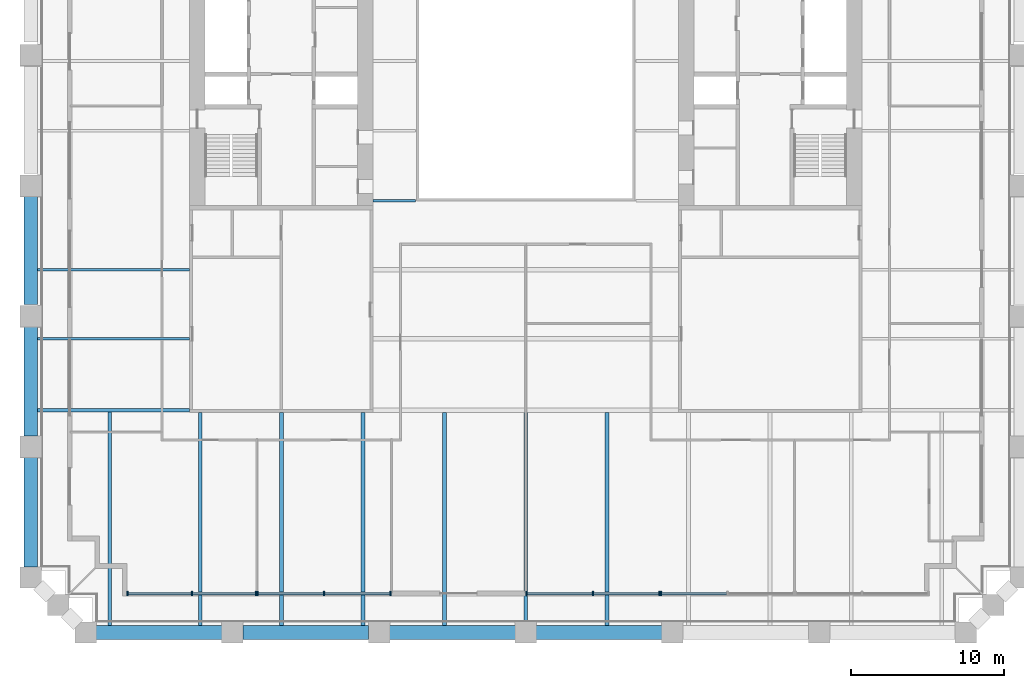
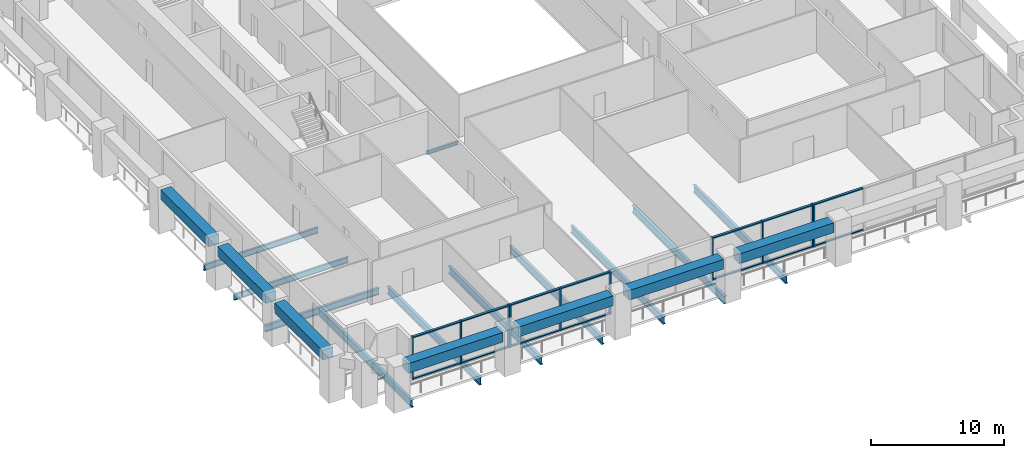
# One storey, part 2 of 11: 24 members, 18 beams, 4 elements without a shape of their own.
"""IFC4 building model written with IfcOpenShell, lengths in metres."""

from ifc_helpers import new_model, si_unit, direction, frame, origin, origin_2d, place, context, subcontext, project, spatial, rectangle, i_section, extrude, material, material_profile, profile_set, type_object, element, aggregate, save


model = new_model("IFC4")

# Units and contexts
model_context = context("Model", 3, precision=1e-05, world=origin(), true_north=direction((0.0, 1.0)))
body_context = subcontext(model_context, "Body", "Model", "MODEL_VIEW")
ifc_project = project(units=[si_unit("LENGTHUNIT", "METRE"), si_unit("AREAUNIT", "SQUARE_METRE"), si_unit("VOLUMEUNIT", "CUBIC_METRE"), si_unit("PLANEANGLEUNIT", "RADIAN"), si_unit("MASSUNIT", "GRAM", prefix="KILO")], contexts=[model_context])

# Site, building, storey
site_placement = place(None, origin())
site = spatial("IfcSite", under=ifc_project, at=site_placement, CompositionType="ELEMENT")
building_placement = place(site_placement, origin())
building = spatial("IfcBuilding", under=site, at=building_placement, Name="Ogive Exchange Tower", CompositionType="ELEMENT")
storey_placement = place(building_placement, frame((0.0, 0.0, 90.0)))
storey = spatial("IfcBuildingStorey", under=building, at=storey_placement, Name="L19", CompositionType="ELEMENT", Elevation=90.0)

# Curtain wall, members
ifc_material_1 = material(Name="Anodised aluminium and clear glass", Category="aluminium")
curtain_wall_type = type_object("IfcCurtainWallType", Name="Executive floor glazing", PredefinedType="NOTDEFINED", material=ifc_material_1)
curtain_wall_1_placement = place(storey_placement, origin())
curtain_wall_1 = element("IfcCurtainWall", 1, at=curtain_wall_1_placement, inside=storey, type_object=curtain_wall_type, Name="Executive floor glazing run G1", PredefinedType="NOTDEFINED")
ifc_material_2 = material(Name="Anodised aluminium", Category="aluminium")
ifc_material_profile_1 = material_profile(ifc_material_2, rectangle(XDim=0.280029296875, YDim=0.10009765625, at=origin_2d()), Name="AL 100x280")
ifc_profile_set_1 = profile_set([ifc_material_profile_1], Name="Anodised aluminium")
member_type_1 = type_object("IfcMemberType", Name="Executive floor glazing mullion 100 x 280", PredefinedType="MULLION", material=ifc_profile_set_1)
member_1_placement = place(storey_placement, frame((-26.050048828125, -27.85009765625, 0.0), z_axis=(0.0, 0.0, 1.0), x_axis=(0.0, 1.0, 0.0)))
member_1 = element("IfcMember", 2, at=member_1_placement, type_object=member_type_1, Name="G1 mullion 1", PredefinedType="MULLION", context=body_context, shape_type="SweptSolid", body=[
    extrude(rectangle(XDim=0.280029296875, YDim=0.10009765625, at=origin_2d()), origin(), (0.0, 0.0, 1.0), 3.89990234375),
])
member_2_placement = place(storey_placement, frame((-21.85009765625, -27.85009765625, 0.0), z_axis=(0.0, 0.0, 1.0), x_axis=(0.0, 1.0, 0.0)))
member_2 = element("IfcMember", 3, at=member_2_placement, type_object=member_type_1, Name="G1 mullion 2", PredefinedType="MULLION", context=body_context, shape_type="SweptSolid", body=[
    extrude(rectangle(XDim=0.280029296875, YDim=0.10009765625, at=origin_2d()), origin(), (0.0, 0.0, 1.0), 3.89990234375),
])
member_3_placement = place(storey_placement, frame((-17.64990234375, -27.85009765625, 0.0), z_axis=(0.0, 0.0, 1.0), x_axis=(0.0, 1.0, 0.0)))
member_3 = element("IfcMember", 4, at=member_3_placement, type_object=member_type_1, Name="G1 mullion 3", PredefinedType="MULLION", context=body_context, shape_type="SweptSolid", body=[
    extrude(rectangle(XDim=0.280029296875, YDim=0.10009765625, at=origin_2d()), origin(), (0.0, 0.0, 1.0), 3.89990234375),
])

curtain_wall_2_placement = place(storey_placement, origin())
curtain_wall_2 = element("IfcCurtainWall", 5, at=curtain_wall_2_placement, inside=storey, type_object=curtain_wall_type, Name="Executive floor glazing run G2", PredefinedType="NOTDEFINED")
member_4_placement = place(storey_placement, frame((-17.550048828125, -27.85009765625, 0.0), z_axis=(0.0, 0.0, 1.0), x_axis=(0.0, 1.0, 0.0)))
member_4 = element("IfcMember", 6, at=member_4_placement, type_object=member_type_1, Name="G2 mullion 1", PredefinedType="MULLION", context=body_context, shape_type="SweptSolid", body=[
    extrude(rectangle(XDim=0.280029296875, YDim=0.10009765625, at=origin_2d()), origin(), (0.0, 0.0, 1.0), 3.89990234375),
])
member_5_placement = place(storey_placement, frame((-13.199951171875, -27.85009765625, 0.0), z_axis=(0.0, 0.0, 1.0), x_axis=(0.0, 1.0, 0.0)))
member_5 = element("IfcMember", 7, at=member_5_placement, type_object=member_type_1, Name="G2 mullion 2", PredefinedType="MULLION", context=body_context, shape_type="SweptSolid", body=[
    extrude(rectangle(XDim=0.280029296875, YDim=0.10009765625, at=origin_2d()), origin(), (0.0, 0.0, 1.0), 3.89990234375),
])
member_6_placement = place(storey_placement, frame((-8.85009765625, -27.85009765625, 0.0), z_axis=(0.0, 0.0, 1.0), x_axis=(0.0, 1.0, 0.0)))
member_6 = element("IfcMember", 8, at=member_6_placement, type_object=member_type_1, Name="G2 mullion 3", PredefinedType="MULLION", context=body_context, shape_type="SweptSolid", body=[
    extrude(rectangle(XDim=0.280029296875, YDim=0.10009765625, at=origin_2d()), origin(), (0.0, 0.0, 1.0), 3.89990234375),
])

curtain_wall_3_placement = place(storey_placement, origin())
curtain_wall_3 = element("IfcCurtainWall", 9, at=curtain_wall_3_placement, inside=storey, type_object=curtain_wall_type, Name="Executive floor glazing run G4", PredefinedType="NOTDEFINED")
member_7_placement = place(storey_placement, frame((0.050048828125, -27.85009765625, 0.0), z_axis=(0.0, 0.0, 1.0), x_axis=(0.0, 1.0, 0.0)))
member_7 = element("IfcMember", 10, at=member_7_placement, type_object=member_type_1, Name="G4 mullion 1", PredefinedType="MULLION", context=body_context, shape_type="SweptSolid", body=[
    extrude(rectangle(XDim=0.280029296875, YDim=0.10009765625, at=origin_2d()), origin(), (0.0, 0.0, 1.0), 3.89990234375),
])
member_8_placement = place(storey_placement, frame((4.39990234375, -27.85009765625, 0.0), z_axis=(0.0, 0.0, 1.0), x_axis=(0.0, 1.0, 0.0)))
member_8 = element("IfcMember", 11, at=member_8_placement, type_object=member_type_1, Name="G4 mullion 2", PredefinedType="MULLION", context=body_context, shape_type="SweptSolid", body=[
    extrude(rectangle(XDim=0.280029296875, YDim=0.10009765625, at=origin_2d()), origin(), (0.0, 0.0, 1.0), 3.89990234375),
])
member_9_placement = place(storey_placement, frame((8.75, -27.85009765625, 0.0), z_axis=(0.0, 0.0, 1.0), x_axis=(0.0, 1.0, 0.0)))
member_9 = element("IfcMember", 12, at=member_9_placement, type_object=member_type_1, Name="G4 mullion 3", PredefinedType="MULLION", context=body_context, shape_type="SweptSolid", body=[
    extrude(rectangle(XDim=0.280029296875, YDim=0.10009765625, at=origin_2d()), origin(), (0.0, 0.0, 1.0), 3.89990234375),
])

# Curtain wall, member
curtain_wall_4_placement = place(storey_placement, origin())
curtain_wall_4 = element("IfcCurtainWall", 13, at=curtain_wall_4_placement, inside=storey, type_object=curtain_wall_type, Name="Executive floor glazing run G5", PredefinedType="NOTDEFINED")
member_10_placement = place(storey_placement, frame((8.85009765625, -27.85009765625, 0.0), z_axis=(0.0, 0.0, 1.0), x_axis=(0.0, 1.0, 0.0)))
member_10 = element("IfcMember", 14, at=member_10_placement, type_object=member_type_1, Name="G5 mullion 1", PredefinedType="MULLION", context=body_context, shape_type="SweptSolid", body=[
    extrude(rectangle(XDim=0.280029296875, YDim=0.10009765625, at=origin_2d()), origin(), (0.0, 0.0, 1.0), 3.89990234375),
])

# Member
ifc_material_profile_2 = material_profile(ifc_material_2, rectangle(XDim=0.199951171875, YDim=0.10009765625, at=origin_2d()), Name="AL 100x200")
ifc_profile_set_2 = profile_set([ifc_material_profile_2], Name="Anodised aluminium")
member_type_2 = type_object("IfcMemberType", Name="Executive floor glazing transom 100 x 200", PredefinedType="USERDEFINED", material=ifc_profile_set_2)
member_11_placement = place(storey_placement, frame((-26.0, -27.85009765625, 0.050048828125), z_axis=(1.0, 0.0, 0.0), x_axis=(0.0, 1.0, 0.0)))
member_11 = element("IfcMember", 15, at=member_11_placement, type_object=member_type_2, Name="G1 transom 1.1", ObjectType="TRANSOM", PredefinedType="USERDEFINED", context=body_context, shape_type="SweptSolid", body=[
    extrude(rectangle(XDim=0.199951171875, YDim=0.10009765625, at=origin_2d()), origin(), (0.0, 0.0, 1.0), 4.10009765625),
])

member_12_placement = place(storey_placement, frame((-26.0, -27.85009765625, 3.85009765625), z_axis=(1.0, 0.0, 0.0), x_axis=(0.0, 1.0, 0.0)))
member_12 = element("IfcMember", 16, at=member_12_placement, type_object=member_type_2, Name="G1 transom 1.2", ObjectType="TRANSOM", PredefinedType="USERDEFINED", context=body_context, shape_type="SweptSolid", body=[
    extrude(rectangle(XDim=0.199951171875, YDim=0.10009765625, at=origin_2d()), origin(), (0.0, 0.0, 1.0), 4.10009765625),
])

member_13_placement = place(storey_placement, frame((-21.800048828125, -27.85009765625, 0.050048828125), z_axis=(1.0, 0.0, 0.0), x_axis=(0.0, 1.0, 0.0)))
member_13 = element("IfcMember", 17, at=member_13_placement, type_object=member_type_2, Name="G1 transom 2.1", ObjectType="TRANSOM", PredefinedType="USERDEFINED", context=body_context, shape_type="SweptSolid", body=[
    extrude(rectangle(XDim=0.199951171875, YDim=0.10009765625, at=origin_2d()), origin(), (0.0, 0.0, 1.0), 4.10009765625),
])

member_14_placement = place(storey_placement, frame((-21.800048828125, -27.85009765625, 3.85009765625), z_axis=(1.0, 0.0, 0.0), x_axis=(0.0, 1.0, 0.0)))
member_14 = element("IfcMember", 18, at=member_14_placement, type_object=member_type_2, Name="G1 transom 2.2", ObjectType="TRANSOM", PredefinedType="USERDEFINED", context=body_context, shape_type="SweptSolid", body=[
    extrude(rectangle(XDim=0.199951171875, YDim=0.10009765625, at=origin_2d()), origin(), (0.0, 0.0, 1.0), 4.10009765625),
])

aggregate(curtain_wall_1, [member_1, member_2, member_3, member_11, member_12, member_13, member_14])

member_15_placement = place(storey_placement, frame((-17.5, -27.85009765625, 0.050048828125), z_axis=(1.0, 0.0, 0.0), x_axis=(0.0, 1.0, 0.0)))
member_15 = element("IfcMember", 19, at=member_15_placement, type_object=member_type_2, Name="G2 transom 1.1", ObjectType="TRANSOM", PredefinedType="USERDEFINED", context=body_context, shape_type="SweptSolid", body=[
    extrude(rectangle(XDim=0.199951171875, YDim=0.10009765625, at=origin_2d()), origin(), (0.0, 0.0, 1.0), 4.25),
])

member_16_placement = place(storey_placement, frame((-17.5, -27.85009765625, 3.85009765625), z_axis=(1.0, 0.0, 0.0), x_axis=(0.0, 1.0, 0.0)))
member_16 = element("IfcMember", 20, at=member_16_placement, type_object=member_type_2, Name="G2 transom 1.2", ObjectType="TRANSOM", PredefinedType="USERDEFINED", context=body_context, shape_type="SweptSolid", body=[
    extrude(rectangle(XDim=0.199951171875, YDim=0.10009765625, at=origin_2d()), origin(), (0.0, 0.0, 1.0), 4.25),
])

member_17_placement = place(storey_placement, frame((-13.14990234375, -27.85009765625, 0.050048828125), z_axis=(1.0, 0.0, 0.0), x_axis=(0.0, 1.0, 0.0)))
member_17 = element("IfcMember", 21, at=member_17_placement, type_object=member_type_2, Name="G2 transom 2.1", ObjectType="TRANSOM", PredefinedType="USERDEFINED", context=body_context, shape_type="SweptSolid", body=[
    extrude(rectangle(XDim=0.199951171875, YDim=0.10009765625, at=origin_2d()), origin(), (0.0, 0.0, 1.0), 4.25),
])

member_18_placement = place(storey_placement, frame((-13.14990234375, -27.85009765625, 3.85009765625), z_axis=(1.0, 0.0, 0.0), x_axis=(0.0, 1.0, 0.0)))
member_18 = element("IfcMember", 22, at=member_18_placement, type_object=member_type_2, Name="G2 transom 2.2", ObjectType="TRANSOM", PredefinedType="USERDEFINED", context=body_context, shape_type="SweptSolid", body=[
    extrude(rectangle(XDim=0.199951171875, YDim=0.10009765625, at=origin_2d()), origin(), (0.0, 0.0, 1.0), 4.25),
])

aggregate(curtain_wall_2, [member_4, member_5, member_6, member_15, member_16, member_17, member_18])

member_19_placement = place(storey_placement, frame((0.10009765625, -27.85009765625, 0.050048828125), z_axis=(1.0, 0.0, 0.0), x_axis=(0.0, 1.0, 0.0)))
member_19 = element("IfcMember", 23, at=member_19_placement, type_object=member_type_2, Name="G4 transom 1.1", ObjectType="TRANSOM", PredefinedType="USERDEFINED", context=body_context, shape_type="SweptSolid", body=[
    extrude(rectangle(XDim=0.199951171875, YDim=0.10009765625, at=origin_2d()), origin(), (0.0, 0.0, 1.0), 4.25),
])

member_20_placement = place(storey_placement, frame((0.10009765625, -27.85009765625, 3.85009765625), z_axis=(1.0, 0.0, 0.0), x_axis=(0.0, 1.0, 0.0)))
member_20 = element("IfcMember", 24, at=member_20_placement, type_object=member_type_2, Name="G4 transom 1.2", ObjectType="TRANSOM", PredefinedType="USERDEFINED", context=body_context, shape_type="SweptSolid", body=[
    extrude(rectangle(XDim=0.199951171875, YDim=0.10009765625, at=origin_2d()), origin(), (0.0, 0.0, 1.0), 4.25),
])

member_21_placement = place(storey_placement, frame((4.449951171875, -27.85009765625, 0.050048828125), z_axis=(1.0, 0.0, 0.0), x_axis=(0.0, 1.0, 0.0)))
member_21 = element("IfcMember", 25, at=member_21_placement, type_object=member_type_2, Name="G4 transom 2.1", ObjectType="TRANSOM", PredefinedType="USERDEFINED", context=body_context, shape_type="SweptSolid", body=[
    extrude(rectangle(XDim=0.199951171875, YDim=0.10009765625, at=origin_2d()), origin(), (0.0, 0.0, 1.0), 4.25),
])

member_22_placement = place(storey_placement, frame((4.449951171875, -27.85009765625, 3.85009765625), z_axis=(1.0, 0.0, 0.0), x_axis=(0.0, 1.0, 0.0)))
member_22 = element("IfcMember", 26, at=member_22_placement, type_object=member_type_2, Name="G4 transom 2.2", ObjectType="TRANSOM", PredefinedType="USERDEFINED", context=body_context, shape_type="SweptSolid", body=[
    extrude(rectangle(XDim=0.199951171875, YDim=0.10009765625, at=origin_2d()), origin(), (0.0, 0.0, 1.0), 4.25),
])

aggregate(curtain_wall_3, [member_7, member_8, member_9, member_19, member_20, member_21, member_22])

member_23_placement = place(storey_placement, frame((8.89990234375, -27.85009765625, 0.050048828125), z_axis=(1.0, 0.0, 0.0), x_axis=(0.0, 1.0, 0.0)))
member_23 = element("IfcMember", 27, at=member_23_placement, type_object=member_type_2, Name="G5 transom 1.1", ObjectType="TRANSOM", PredefinedType="USERDEFINED", context=body_context, shape_type="SweptSolid", body=[
    extrude(rectangle(XDim=0.199951171875, YDim=0.10009765625, at=origin_2d()), origin(), (0.0, 0.0, 1.0), 4.25),
])

member_24_placement = place(storey_placement, frame((8.89990234375, -27.85009765625, 3.85009765625), z_axis=(1.0, 0.0, 0.0), x_axis=(0.0, 1.0, 0.0)))
member_24 = element("IfcMember", 28, at=member_24_placement, type_object=member_type_2, Name="G5 transom 1.2", ObjectType="TRANSOM", PredefinedType="USERDEFINED", context=body_context, shape_type="SweptSolid", body=[
    extrude(rectangle(XDim=0.199951171875, YDim=0.10009765625, at=origin_2d()), origin(), (0.0, 0.0, 1.0), 4.25),
])

aggregate(curtain_wall_4, [member_10, member_23, member_24])

# Beams
ifc_material_3 = material(Name="Steel ASTM A992 Gr50", Category="steel")
ifc_material_profile_3 = material_profile(ifc_material_3, i_section(OverallWidth=0.1669921875, OverallDepth=0.535888671875, WebThickness=0.01025390625, FlangeThickness=0.0166015625, at=origin_2d()), Name="W530x85")
ifc_profile_set_3 = profile_set([ifc_material_profile_3], Name="Steel ASTM A992 Gr50")
beam_type_1 = type_object("IfcBeamType", Name="Floor beam W530x85", PredefinedType="JOIST", material=ifc_profile_set_3)
for number, where, z_axis, x_axis, name in (
    (29, (-31.949951171875, -11.17822265625, -0.51806640625), (1.0, 0.0, 0.0), (0.0, 1.0, 0.0), "Floor beam"),
    (30, (-31.949951171875, -6.666748046875, -0.51806640625), (1.0, 0.0, 0.0), (0.0, 1.0, 0.0), "Floor beam"),
):
    element("IfcBeam", number, at=place(storey_placement, frame(where, z_axis=z_axis, x_axis=x_axis)), inside=storey, type_object=beam_type_1, Name=name, PredefinedType="JOIST", context=body_context, shape_type="SweptSolid", body=[
        extrude(i_section(OverallWidth=0.1669921875, OverallDepth=0.535888671875, WebThickness=0.01025390625, FlangeThickness=0.0166015625, at=origin_2d()), origin(), (0.0, 0.0, 1.0), 9.949951171875),
    ])
ifc_material_profile_4 = material_profile(ifc_material_3, i_section(OverallWidth=0.25390625, OverallDepth=0.677978515625, WebThickness=0.01171875, FlangeThickness=0.016357421875, at=origin_2d()), Name="W690x125")
ifc_profile_set_4 = profile_set([ifc_material_profile_4], Name="Steel ASTM A992 Gr50")
beam_type_2 = type_object("IfcBeamType", Name="Floor beam W690x125", PredefinedType="JOIST", material=ifc_profile_set_4)
beam_1_placement = place(storey_placement, frame((-27.22509765625, -29.949951171875, -0.589111328125), z_axis=(0.0, 1.0, 0.0), x_axis=(-1.0, 0.0, 0.0)))
element("IfcBeam", 31, at=beam_1_placement, inside=storey, type_object=beam_type_2, Name="Floor beam", PredefinedType="JOIST", context=body_context, shape_type="SweptSolid", body=[
    extrude(i_section(OverallWidth=0.25390625, OverallDepth=0.677978515625, WebThickness=0.01171875, FlangeThickness=0.016357421875, at=origin_2d()), origin(), (0.0, 0.0, 1.0), 13.990966796875),
])
for number, where, z_axis, x_axis, name in (
    (32, (-21.300048828125, -29.949951171875, -0.589111328125), (0.0, 1.0, 0.0), (-1.0, 0.0, 0.0), "Floor beam"),
    (33, (-15.97509765625, -29.949951171875, -0.589111328125), (0.0, 1.0, 0.0), (-1.0, 0.0, 0.0), "Floor beam"),
    (34, (-10.64990234375, -29.949951171875, -0.589111328125), (0.0, 1.0, 0.0), (-1.0, 0.0, 0.0), "Floor beam"),
):
    element("IfcBeam", number, at=place(storey_placement, frame(where, z_axis=z_axis, x_axis=x_axis)), inside=storey, type_object=beam_type_2, Name=name, PredefinedType="JOIST", context=body_context, shape_type="SweptSolid", body=[
        extrude(i_section(OverallWidth=0.25390625, OverallDepth=0.677978515625, WebThickness=0.01171875, FlangeThickness=0.016357421875, at=origin_2d()), origin(), (0.0, 0.0, 1.0), 13.949951171875),
    ])
for number, where, z_axis, x_axis, name in (
    (35, (-5.324951171875, -29.949951171875, -0.589111328125), (0.0, 1.0, 0.0), (-1.0, 0.0, 0.0), "Floor beam"),
    (36, (0.0, -29.949951171875, -0.589111328125), (0.0, 1.0, 0.0), (-1.0, 0.0, 0.0), "Floor beam"),
    (37, (5.324951171875, -29.949951171875, -0.589111328125), (0.0, 1.0, 0.0), (-1.0, 0.0, 0.0), "Floor beam"),
):
    element("IfcBeam", number, at=place(storey_placement, frame(where, z_axis=z_axis, x_axis=x_axis)), inside=storey, type_object=beam_type_2, Name=name, PredefinedType="JOIST", context=body_context, shape_type="SweptSolid", body=[
        extrude(i_section(OverallWidth=0.25390625, OverallDepth=0.677978515625, WebThickness=0.01171875, FlangeThickness=0.016357421875, at=origin_2d()), origin(), (0.0, 0.0, 1.0), 13.954833984375),
    ])
ifc_material_profile_5 = material_profile(ifc_material_3, i_section(OverallWidth=0.1650390625, OverallDepth=0.31005859375, WebThickness=0.005859375, FlangeThickness=0.009765625, at=origin_2d()), Name="W310x38.7")
ifc_profile_set_5 = profile_set([ifc_material_profile_5], Name="Steel ASTM A992 Gr50")
beam_type_3 = type_object("IfcBeamType", Name="Girder W310x38.7", PredefinedType="BEAM", material=ifc_profile_set_5)
beam_2_placement = place(storey_placement, frame((-10.0, -2.155029296875, -0.405029296875), z_axis=(1.0, 0.0, 0.0), x_axis=(0.0, 1.0, 0.0)))
element("IfcBeam", 38, at=beam_2_placement, inside=storey, type_object=beam_type_3, Name="Trimmer girder", PredefinedType="BEAM", context=body_context, shape_type="SweptSolid", body=[
    extrude(i_section(OverallWidth=0.1650390625, OverallDepth=0.31005859375, WebThickness=0.005859375, FlangeThickness=0.009765625, at=origin_2d()), origin(), (0.0, 0.0, 1.0), 2.780029296875),
])
ifc_material_profile_6 = material_profile(ifc_material_3, i_section(OverallWidth=0.22802734375, OverallDepth=0.60205078125, WebThickness=0.010498046875, FlangeThickness=0.014892578125, at=origin_2d()), Name="W610x101")
ifc_profile_set_6 = profile_set([ifc_material_profile_6], Name="Steel ASTM A992 Gr50")
beam_type_4 = type_object("IfcBeamType", Name="Girder W610x101", PredefinedType="BEAM", material=ifc_profile_set_6)
beam_3_placement = place(storey_placement, frame((-31.949951171875, -15.844970703125, -0.551025390625), z_axis=(1.0, 0.0, 0.0), x_axis=(0.0, 1.0, 0.0)))
element("IfcBeam", 39, at=beam_3_placement, inside=storey, type_object=beam_type_4, Name="Header girder", PredefinedType="BEAM", context=body_context, shape_type="SweptSolid", body=[
    extrude(i_section(OverallWidth=0.22802734375, OverallDepth=0.60205078125, WebThickness=0.010498046875, FlangeThickness=0.014892578125, at=origin_2d()), origin(), (0.0, 0.0, 1.0), 9.949951171875),
])
ifc_material_4 = material(Name="Precast concrete C70/85 (limestone faced)", Category="masonry")
ifc_material_profile_7 = material_profile(ifc_material_4, rectangle(XDim=0.89990234375, YDim=0.89990234375, at=origin_2d()), Name="900 x 900")
ifc_profile_set_7 = profile_set([ifc_material_profile_7], Name="Precast concrete C70/85 (limestone faced)")
beam_type_5 = type_object("IfcBeamType", Name="Precast spandrel 900 x 900 C70/85", PredefinedType="SPANDREL", material=ifc_profile_set_7)
beam_4_placement = place(storey_placement, frame((-28.1201171875, -30.39990234375, 3.5), z_axis=(1.0, 0.0, 0.0), x_axis=(0.0, 1.0, 0.0)))
element("IfcBeam", 40, at=beam_4_placement, inside=storey, type_object=beam_type_5, Name="Spandrel 1", PredefinedType="SPANDREL", context=body_context, shape_type="SweptSolid", body=[
    extrude(rectangle(XDim=0.89990234375, YDim=0.89990234375, at=origin_2d()), origin(), (0.0, 0.0, 1.0), 8.240234375),
])
for number, where, z_axis, x_axis, name in (
    (41, (-18.52001953125, -30.39990234375, 3.5), (1.0, 0.0, 0.0), (0.0, 1.0, 0.0), "Spandrel 2"),
    (42, (-8.919921875, -30.39990234375, 3.5), (1.0, 0.0, 0.0), (0.0, 1.0, 0.0), "Spandrel 3"),
    (43, (0.679931640625, -30.39990234375, 3.5), (1.0, 0.0, 0.0), (0.0, 1.0, 0.0), "Spandrel 4"),
):
    element("IfcBeam", number, at=place(storey_placement, frame(where, z_axis=z_axis, x_axis=x_axis)), inside=storey, type_object=beam_type_5, Name=name, PredefinedType="SPANDREL", context=body_context, shape_type="SweptSolid", body=[
        extrude(rectangle(XDim=0.89990234375, YDim=0.89990234375, at=origin_2d()), origin(), (0.0, 0.0, 1.0), 8.239990234375),
    ])
for number, where, z_axis, x_axis, name in (
    (44, (-32.39990234375, -1.718994140625, 3.5), (0.0, -1.0, 0.0), (1.0, 0.0, 0.0), "Spandrel 30"),
    (45, (-32.39990234375, -10.305908203125, 3.5), (0.0, -1.0, 0.0), (1.0, 0.0, 0.0), "Spandrel 31"),
    (46, (-32.39990234375, -18.89306640625, 3.5), (0.0, -1.0, 0.0), (1.0, 0.0, 0.0), "Spandrel 32"),
):
    element("IfcBeam", number, at=place(storey_placement, frame(where, z_axis=z_axis, x_axis=x_axis)), inside=storey, type_object=beam_type_5, Name=name, PredefinedType="SPANDREL", context=body_context, shape_type="SweptSolid", body=[
        extrude(rectangle(XDim=0.89990234375, YDim=0.89990234375, at=origin_2d()), origin(), (0.0, 0.0, 1.0), 7.22705078125),
    ])

save(model, "model.ifc")
